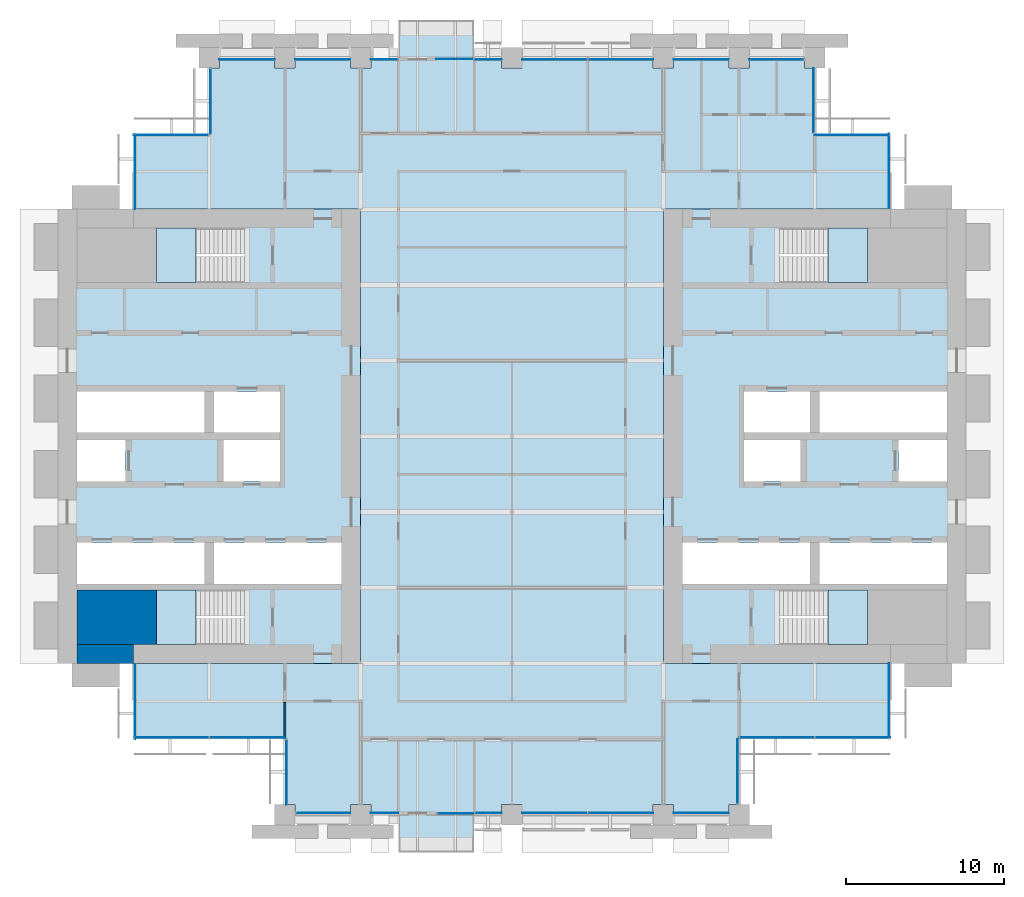
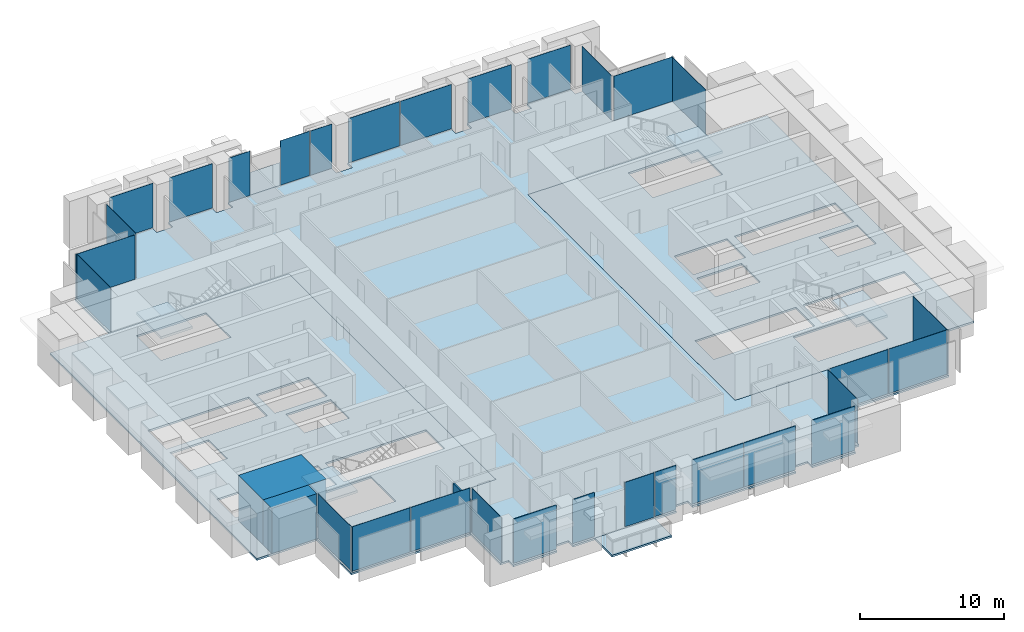
# One storey, part 8 of 15: 30 plates, 9 slabs, 3 walls, 22 elements without a shape of their own.
"""IFC4 building model written with IfcOpenShell, lengths in metres."""

from ifc_helpers import new_model, si_unit, direction, frame, frame_2d, origin, origin_2d, place, context, subcontext, project, spatial, polyline, rectangle, outline, extrude, material, layer, layer_set, type_object, element, aggregate, save


model = new_model("IFC4")

# Units and contexts
model_context = context("Model", 3, precision=1e-05, world=origin(), true_north=direction((0.0, 1.0)))
body_context = subcontext(model_context, "Body", "Model", "MODEL_VIEW")
ifc_project = project(units=[si_unit("LENGTHUNIT", "METRE"), si_unit("AREAUNIT", "SQUARE_METRE"), si_unit("VOLUMEUNIT", "CUBIC_METRE"), si_unit("PLANEANGLEUNIT", "RADIAN"), si_unit("MASSUNIT", "GRAM", prefix="KILO")], contexts=[model_context])

# Site, building, storey
site_placement = place(None, origin())
site = spatial("IfcSite", under=ifc_project, at=site_placement, CompositionType="ELEMENT")
building_placement = place(site_placement, origin())
building = spatial("IfcBuilding", under=site, at=building_placement, Name="Baori Bourse Tower", CompositionType="ELEMENT")
storey_placement = place(building_placement, frame((0.0, 0.0, 71.0)))
storey = spatial("IfcBuildingStorey", under=building, at=storey_placement, Name="L15", CompositionType="ELEMENT", Elevation=71.0)

# Slabs
ifc_material_1 = material(Name="Concrete f'c 40 MPa", Category="concrete")
ifc_layer_1 = layer(ifc_material_1, 0.159912109375)
ifc_layer_set_1 = layer_set([ifc_layer_1], Name="BL2 Balcony slab 160")
slab_type_1 = type_object("IfcSlabType", Name="BL2 Balcony slab 160", PredefinedType="FLOOR", material=ifc_layer_set_1)
slab_1_placement = place(storey_placement, frame((0.0, 0.0, -0.159912109375)))
element("IfcSlab", 1, at=slab_1_placement, inside=storey, type_object=slab_type_1, Name="Balcony slab L15 S", PredefinedType="FLOOR", context=body_context, shape_type="SweptSolid", body=[
    extrude(outline(polyline([(21.60009765625, 0.0), (21.60009765625, -2.39990234375), (26.39990234375, -2.39990234375), (26.39990234375, 0.0), (21.60009765625, 0.0)])), origin(), (0.0, 0.0, 1.0), 0.159912109375),
])
slab_2_placement = place(storey_placement, frame((0.0, 0.0, -0.159912109375)))
element("IfcSlab", 2, at=slab_2_placement, inside=storey, type_object=slab_type_1, Name="Balcony slab L15 N", PredefinedType="FLOOR", context=body_context, shape_type="SweptSolid", body=[
    extrude(outline(polyline([(21.60009765625, 48.0), (26.39990234375, 48.0), (26.39990234375, 50.39990234375), (21.60009765625, 50.39990234375), (21.60009765625, 48.0)])), origin(), (0.0, 0.0, 1.0), 0.159912109375),
])

# Curtain wall, plates
ifc_material_2 = material(Name="Pale anodised aluminium", Category="aluminium")
curtain_wall_type_1 = type_object("IfcCurtainWallType", Name="CW1 Curtain wall", PredefinedType="NOTDEFINED", material=ifc_material_2)
curtain_wall_1_placement = place(storey_placement, origin())
curtain_wall_1 = element("IfcCurtainWall", 3, at=curtain_wall_1_placement, inside=storey, type_object=curtain_wall_type_1, Name="Curtain wall CW1 L15 4", PredefinedType="NOTDEFINED")
ifc_material_3 = material(Name="Clear glass", Category="glass")
ifc_layer_2 = layer(ifc_material_3, 0.033935546875)
ifc_layer_set_2 = layer_set([ifc_layer_2], Name="CW1 Curtain wall panel")
plate_type_1 = type_object("IfcPlateType", Name="CW1 Curtain wall panel", PredefinedType="CURTAIN_PANEL", material=ifc_layer_set_2)
plate_1_placement = place(storey_placement, frame((45.570068359375, 47.89990234375, 0.080078125), z_axis=(0.0, 0.0, 1.0), x_axis=(-1.0, 0.0, 0.0)))
plate_1 = element("IfcPlate", 4, at=plate_1_placement, type_object=plate_type_1, Name="Curtain wall CW1 panel", PredefinedType="CURTAIN_PANEL", context=body_context, shape_type="SweptSolid", body=[
    extrude(rectangle(XDim=3.43994140625, YDim=0.033935546875, at=origin_2d()), origin(), (0.0, 0.0, 1.0), 3.760009765625),
])
plate_2_placement = place(storey_placement, frame((40.800048828125, 47.89990234375, 0.080078125), z_axis=(0.0, 0.0, 1.0), x_axis=(-1.0, 0.0, 0.0)))
plate_2 = element("IfcPlate", 5, at=plate_2_placement, type_object=plate_type_1, Name="Curtain wall CW1 panel", PredefinedType="CURTAIN_PANEL", context=body_context, shape_type="SweptSolid", body=[
    extrude(rectangle(XDim=3.5, YDim=0.033935546875, at=origin_2d()), origin(), (0.0, 0.0, 1.0), 3.760009765625),
])
plate_3_placement = place(storey_placement, frame((35.68994140625, 47.89990234375, 0.080078125), z_axis=(0.0, 0.0, 1.0), x_axis=(-1.0, 0.0, 0.0)))
plate_3 = element("IfcPlate", 6, at=plate_3_placement, type_object=plate_type_1, Name="Curtain wall CW1 panel", PredefinedType="CURTAIN_PANEL", context=body_context, shape_type="SweptSolid", body=[
    extrude(rectangle(XDim=4.1201171875, YDim=0.033935546875, at=origin_2d()), origin(), (0.0, 0.0, 1.0), 3.760009765625),
])
plate_4_placement = place(storey_placement, frame((31.510009765625, 47.89990234375, 0.080078125), z_axis=(0.0, 0.0, 1.0), x_axis=(-1.0, 0.0, 0.0)))
plate_4 = element("IfcPlate", 7, at=plate_4_placement, type_object=plate_type_1, Name="Curtain wall CW1 panel", PredefinedType="CURTAIN_PANEL", context=body_context, shape_type="SweptSolid", body=[
    extrude(rectangle(XDim=4.1201171875, YDim=0.033935546875, at=origin_2d()), origin(), (0.0, 0.0, 1.0), 3.760009765625),
])
plate_5_placement = place(storey_placement, frame((27.27490234375, 47.89990234375, 0.080078125), z_axis=(0.0, 0.0, 1.0), x_axis=(-1.0, 0.0, 0.0)))
plate_5 = element("IfcPlate", 8, at=plate_5_placement, type_object=plate_type_1, Name="Curtain wall CW1 panel", PredefinedType="CURTAIN_PANEL", context=body_context, shape_type="SweptSolid", body=[
    extrude(rectangle(XDim=1.75, YDim=0.033935546875, at=origin_2d()), origin(), (0.0, 0.0, 1.0), 3.760009765625),
])
aggregate(curtain_wall_1, [plate_1, plate_2, plate_3, plate_4, plate_5])

curtain_wall_2_placement = place(storey_placement, origin())
curtain_wall_2 = element("IfcCurtainWall", 9, at=curtain_wall_2_placement, inside=storey, type_object=curtain_wall_type_1, Name="Curtain wall CW1 L15 6", PredefinedType="NOTDEFINED")
plate_6_placement = place(storey_placement, frame((20.695068359375, 47.89990234375, 0.080078125), z_axis=(0.0, 0.0, 1.0), x_axis=(-1.0, 0.0, 0.0)))
plate_6 = element("IfcPlate", 10, at=plate_6_placement, type_object=plate_type_1, Name="Curtain wall CW1 panel", PredefinedType="CURTAIN_PANEL", context=body_context, shape_type="SweptSolid", body=[
    extrude(rectangle(XDim=1.68994140625, YDim=0.033935546875, at=origin_2d()), origin(), (0.0, 0.0, 1.0), 3.760009765625),
])
plate_7_placement = place(storey_placement, frame((16.800048828125, 47.89990234375, 0.080078125), z_axis=(0.0, 0.0, 1.0), x_axis=(-1.0, 0.0, 0.0)))
plate_7 = element("IfcPlate", 11, at=plate_7_placement, type_object=plate_type_1, Name="Curtain wall CW1 panel", PredefinedType="CURTAIN_PANEL", context=body_context, shape_type="SweptSolid", body=[
    extrude(rectangle(XDim=3.5, YDim=0.033935546875, at=origin_2d()), origin(), (0.0, 0.0, 1.0), 3.760009765625),
])
plate_8_placement = place(storey_placement, frame((12.0, 47.89990234375, 0.080078125), z_axis=(0.0, 0.0, 1.0), x_axis=(-1.0, 0.0, 0.0)))
plate_8 = element("IfcPlate", 12, at=plate_8_placement, type_object=plate_type_1, Name="Curtain wall CW1 panel", PredefinedType="CURTAIN_PANEL", context=body_context, shape_type="SweptSolid", body=[
    extrude(rectangle(XDim=3.5, YDim=0.033935546875, at=origin_2d()), origin(), (0.0, 0.0, 1.0), 3.760009765625),
])
aggregate(curtain_wall_2, [plate_6, plate_7, plate_8])

curtain_wall_3_placement = place(storey_placement, origin())
curtain_wall_3 = element("IfcCurtainWall", 13, at=curtain_wall_3_placement, inside=storey, type_object=curtain_wall_type_1, Name="Curtain wall CW1 L15 13", PredefinedType="NOTDEFINED")
plate_9_placement = place(storey_placement, frame((16.830078125, 0.10009765625, 0.080078125), z_axis=(0.0, 0.0, 1.0), x_axis=(1.0, 0.0, 0.0)))
plate_9 = element("IfcPlate", 14, at=plate_9_placement, type_object=plate_type_1, Name="Curtain wall CW1 panel", PredefinedType="CURTAIN_PANEL", context=body_context, shape_type="SweptSolid", body=[
    extrude(rectangle(XDim=3.43994140625, YDim=0.033935546875, at=origin_2d()), origin(), (0.0, 0.0, 1.0), 3.760009765625),
])
plate_10_placement = place(storey_placement, frame((20.72509765625, 0.10009765625, 0.080078125), z_axis=(0.0, 0.0, 1.0), x_axis=(1.0, 0.0, 0.0)))
plate_10 = element("IfcPlate", 15, at=plate_10_placement, type_object=plate_type_1, Name="Curtain wall CW1 panel", PredefinedType="CURTAIN_PANEL", context=body_context, shape_type="SweptSolid", body=[
    extrude(rectangle(XDim=1.75, YDim=0.033935546875, at=origin_2d()), origin(), (0.0, 0.0, 1.0), 3.760009765625),
])
aggregate(curtain_wall_3, [plate_9, plate_10])

curtain_wall_4_placement = place(storey_placement, origin())
curtain_wall_4 = element("IfcCurtainWall", 16, at=curtain_wall_4_placement, inside=storey, type_object=curtain_wall_type_1, Name="Curtain wall CW1 L15 15", PredefinedType="NOTDEFINED")
plate_11_placement = place(storey_placement, frame((27.304931640625, 0.10009765625, 0.080078125), z_axis=(0.0, 0.0, 1.0), x_axis=(1.0, 0.0, 0.0)))
plate_11 = element("IfcPlate", 17, at=plate_11_placement, type_object=plate_type_1, Name="Curtain wall CW1 panel", PredefinedType="CURTAIN_PANEL", context=body_context, shape_type="SweptSolid", body=[
    extrude(rectangle(XDim=1.68994140625, YDim=0.033935546875, at=origin_2d()), origin(), (0.0, 0.0, 1.0), 3.760009765625),
])
plate_12_placement = place(storey_placement, frame((31.510009765625, 0.10009765625, 0.080078125), z_axis=(0.0, 0.0, 1.0), x_axis=(1.0, 0.0, 0.0)))
plate_12 = element("IfcPlate", 18, at=plate_12_placement, type_object=plate_type_1, Name="Curtain wall CW1 panel", PredefinedType="CURTAIN_PANEL", context=body_context, shape_type="SweptSolid", body=[
    extrude(rectangle(XDim=4.1201171875, YDim=0.033935546875, at=origin_2d()), origin(), (0.0, 0.0, 1.0), 3.760009765625),
])
plate_13_placement = place(storey_placement, frame((35.68994140625, 0.10009765625, 0.080078125), z_axis=(0.0, 0.0, 1.0), x_axis=(1.0, 0.0, 0.0)))
plate_13 = element("IfcPlate", 19, at=plate_13_placement, type_object=plate_type_1, Name="Curtain wall CW1 panel", PredefinedType="CURTAIN_PANEL", context=body_context, shape_type="SweptSolid", body=[
    extrude(rectangle(XDim=4.1201171875, YDim=0.033935546875, at=origin_2d()), origin(), (0.0, 0.0, 1.0), 3.760009765625),
])
plate_14_placement = place(storey_placement, frame((40.800048828125, 0.10009765625, 0.080078125), z_axis=(0.0, 0.0, 1.0), x_axis=(1.0, 0.0, 0.0)))
plate_14 = element("IfcPlate", 20, at=plate_14_placement, type_object=plate_type_1, Name="Curtain wall CW1 panel", PredefinedType="CURTAIN_PANEL", context=body_context, shape_type="SweptSolid", body=[
    extrude(rectangle(XDim=3.5, YDim=0.033935546875, at=origin_2d()), origin(), (0.0, 0.0, 1.0), 3.760009765625),
])
aggregate(curtain_wall_4, [plate_11, plate_12, plate_13, plate_14])

# Curtain wall, plate
ifc_material_4 = material(Name="Pale anodised aluminium", Category="aluminium")
curtain_wall_type_2 = type_object("IfcCurtainWallType", Name="CW2 Curtain wall", PredefinedType="NOTDEFINED", material=ifc_material_4)
curtain_wall_5_placement = place(storey_placement, origin())
curtain_wall_5 = element("IfcCurtainWall", 21, at=curtain_wall_5_placement, inside=storey, type_object=curtain_wall_type_2, Name="Curtain wall CW2 L15 1", PredefinedType="NOTDEFINED")
ifc_material_5 = material(Name="Clear glass", Category="glass")
ifc_layer_3 = layer(ifc_material_5, 0.030029296875)
ifc_layer_set_3 = layer_set([ifc_layer_3], Name="CW2 Curtain wall panel")
plate_type_2 = type_object("IfcPlateType", Name="CW2 Curtain wall panel", PredefinedType="CURTAIN_PANEL", material=ifc_layer_set_3)
plate_15_placement = place(storey_placement, frame((52.7099609375, 40.827392578125, 0.070068359375), z_axis=(0.0, 0.0, 1.0), x_axis=(0.0, 1.0, 0.0)))
plate_15 = element("IfcPlate", 22, at=plate_15_placement, type_object=plate_type_2, Name="Curtain wall CW2 panel", PredefinedType="CURTAIN_PANEL", context=body_context, shape_type="SweptSolid", body=[
    extrude(rectangle(XDim=4.7451171875, YDim=0.030029296875, at=origin_2d()), origin(), (0.0, 0.0, 1.0), 3.77001953125),
])
aggregate(curtain_wall_5, [plate_15])

curtain_wall_6_placement = place(storey_placement, origin())
curtain_wall_6 = element("IfcCurtainWall", 23, at=curtain_wall_6_placement, inside=storey, type_object=curtain_wall_type_2, Name="Curtain wall CW2 L15 2", PredefinedType="NOTDEFINED")
plate_16_placement = place(storey_placement, frame((50.37255859375, 43.110107421875, 0.070068359375), z_axis=(0.0, 0.0, 1.0), x_axis=(-1.0, 0.0, 0.0)))
plate_16 = element("IfcPlate", 24, at=plate_16_placement, type_object=plate_type_2, Name="Curtain wall CW2 panel", PredefinedType="CURTAIN_PANEL", context=body_context, shape_type="SweptSolid", body=[
    extrude(rectangle(XDim=4.7451171875, YDim=0.030029296875, at=origin_2d()), origin(), (0.0, 0.0, 1.0), 3.77001953125),
])
aggregate(curtain_wall_6, [plate_16])

curtain_wall_7_placement = place(storey_placement, origin())
curtain_wall_7 = element("IfcCurtainWall", 25, at=curtain_wall_7_placement, inside=storey, type_object=curtain_wall_type_2, Name="Curtain wall CW2 L15 3", PredefinedType="NOTDEFINED")
plate_17_placement = place(storey_placement, frame((47.909912109375, 45.302490234375, 0.070068359375), z_axis=(0.0, 0.0, 1.0), x_axis=(0.0, 1.0, 0.0)))
plate_17 = element("IfcPlate", 26, at=plate_17_placement, type_object=plate_type_2, Name="Curtain wall CW2 panel", PredefinedType="CURTAIN_PANEL", context=body_context, shape_type="SweptSolid", body=[
    extrude(rectangle(XDim=4.094970703125, YDim=0.030029296875, at=origin_2d()), origin(), (0.0, 0.0, 1.0), 3.77001953125),
])
aggregate(curtain_wall_7, [plate_17])

curtain_wall_8_placement = place(storey_placement, origin())
curtain_wall_8 = element("IfcCurtainWall", 27, at=curtain_wall_8_placement, inside=storey, type_object=curtain_wall_type_2, Name="Curtain wall CW2 L15 7", PredefinedType="NOTDEFINED")
plate_18_placement = place(storey_placement, frame((9.68994140625, 45.24755859375, 0.070068359375), z_axis=(0.0, 0.0, 1.0), x_axis=(0.0, -1.0, 0.0)))
plate_18 = element("IfcPlate", 28, at=plate_18_placement, type_object=plate_type_2, Name="Curtain wall CW2 panel", PredefinedType="CURTAIN_PANEL", context=body_context, shape_type="SweptSolid", body=[
    extrude(rectangle(XDim=4.094970703125, YDim=0.030029296875, at=origin_2d()), origin(), (0.0, 0.0, 1.0), 3.77001953125),
])
aggregate(curtain_wall_8, [plate_18])

curtain_wall_9_placement = place(storey_placement, origin())
curtain_wall_9 = element("IfcCurtainWall", 29, at=curtain_wall_9_placement, inside=storey, type_object=curtain_wall_type_2, Name="Curtain wall CW2 L15 8", PredefinedType="NOTDEFINED")
plate_19_placement = place(storey_placement, frame((7.172607421875, 43.110107421875, 0.070068359375), z_axis=(0.0, 0.0, 1.0), x_axis=(-1.0, 0.0, 0.0)))
plate_19 = element("IfcPlate", 30, at=plate_19_placement, type_object=plate_type_2, Name="Curtain wall CW2 panel", PredefinedType="CURTAIN_PANEL", context=body_context, shape_type="SweptSolid", body=[
    extrude(rectangle(XDim=4.7451171875, YDim=0.030029296875, at=origin_2d()), origin(), (0.0, 0.0, 1.0), 3.77001953125),
])
aggregate(curtain_wall_9, [plate_19])

curtain_wall_10_placement = place(storey_placement, origin())
curtain_wall_10 = element("IfcCurtainWall", 31, at=curtain_wall_10_placement, inside=storey, type_object=curtain_wall_type_2, Name="Curtain wall CW2 L15 9", PredefinedType="NOTDEFINED")
plate_20_placement = place(storey_placement, frame((4.889892578125, 40.7724609375, 0.070068359375), z_axis=(0.0, 0.0, 1.0), x_axis=(0.0, -1.0, 0.0)))
plate_20 = element("IfcPlate", 32, at=plate_20_placement, type_object=plate_type_2, Name="Curtain wall CW2 panel", PredefinedType="CURTAIN_PANEL", context=body_context, shape_type="SweptSolid", body=[
    extrude(rectangle(XDim=4.7451171875, YDim=0.030029296875, at=origin_2d()), origin(), (0.0, 0.0, 1.0), 3.77001953125),
])
aggregate(curtain_wall_10, [plate_20])

curtain_wall_11_placement = place(storey_placement, origin())
curtain_wall_11 = element("IfcCurtainWall", 33, at=curtain_wall_11_placement, inside=storey, type_object=curtain_wall_type_2, Name="Curtain wall CW2 L15 10", PredefinedType="NOTDEFINED")
plate_21_placement = place(storey_placement, frame((4.889892578125, 7.172607421875, 0.070068359375), z_axis=(0.0, 0.0, 1.0), x_axis=(0.0, -1.0, 0.0)))
plate_21 = element("IfcPlate", 34, at=plate_21_placement, type_object=plate_type_2, Name="Curtain wall CW2 panel", PredefinedType="CURTAIN_PANEL", context=body_context, shape_type="SweptSolid", body=[
    extrude(rectangle(XDim=4.7451171875, YDim=0.030029296875, at=origin_2d()), origin(), (0.0, 0.0, 1.0), 3.77001953125),
])
aggregate(curtain_wall_11, [plate_21])

# Curtain wall, plates
curtain_wall_12_placement = place(storey_placement, origin())
curtain_wall_12 = element("IfcCurtainWall", 35, at=curtain_wall_12_placement, inside=storey, type_object=curtain_wall_type_2, Name="Curtain wall CW2 L15 11", PredefinedType="NOTDEFINED")
plate_22_placement = place(storey_placement, frame((7.2138671875, 4.889892578125, 0.070068359375), z_axis=(0.0, 0.0, 1.0), x_axis=(1.0, 0.0, 0.0)))
plate_22 = element("IfcPlate", 36, at=plate_22_placement, type_object=plate_type_2, Name="Curtain wall CW2 panel", PredefinedType="CURTAIN_PANEL", context=body_context, shape_type="SweptSolid", body=[
    extrude(rectangle(XDim=4.717529296875, YDim=0.030029296875, at=origin_2d()), origin(), (0.0, 0.0, 1.0), 3.77001953125),
])
plate_23_placement = place(storey_placement, frame((12.013671875, 4.889892578125, 0.070068359375), z_axis=(0.0, 0.0, 1.0), x_axis=(1.0, 0.0, 0.0)))
plate_23 = element("IfcPlate", 37, at=plate_23_placement, type_object=plate_type_2, Name="Curtain wall CW2 panel", PredefinedType="CURTAIN_PANEL", context=body_context, shape_type="SweptSolid", body=[
    extrude(rectangle(XDim=4.7724609375, YDim=0.030029296875, at=origin_2d()), origin(), (0.0, 0.0, 1.0), 3.77001953125),
])
aggregate(curtain_wall_12, [plate_22, plate_23])

# Curtain wall, plate
curtain_wall_13_placement = place(storey_placement, origin())
curtain_wall_13 = element("IfcCurtainWall", 38, at=curtain_wall_13_placement, inside=storey, type_object=curtain_wall_type_2, Name="Curtain wall CW2 L15 12", PredefinedType="NOTDEFINED")
plate_24_placement = place(storey_placement, frame((14.489990234375, 2.697509765625, 0.070068359375), z_axis=(0.0, 0.0, 1.0), x_axis=(0.0, -1.0, 0.0)))
plate_24 = element("IfcPlate", 39, at=plate_24_placement, type_object=plate_type_2, Name="Curtain wall CW2 panel", PredefinedType="CURTAIN_PANEL", context=body_context, shape_type="SweptSolid", body=[
    extrude(rectangle(XDim=4.094970703125, YDim=0.030029296875, at=origin_2d()), origin(), (0.0, 0.0, 1.0), 3.77001953125),
])
aggregate(curtain_wall_13, [plate_24])

curtain_wall_14_placement = place(storey_placement, origin())
curtain_wall_14 = element("IfcCurtainWall", 40, at=curtain_wall_14_placement, inside=storey, type_object=curtain_wall_type_2, Name="Curtain wall CW2 L15 16", PredefinedType="NOTDEFINED")
plate_25_placement = place(storey_placement, frame((43.110107421875, 2.75244140625, 0.070068359375), z_axis=(0.0, 0.0, 1.0), x_axis=(0.0, 1.0, 0.0)))
plate_25 = element("IfcPlate", 41, at=plate_25_placement, type_object=plate_type_2, Name="Curtain wall CW2 panel", PredefinedType="CURTAIN_PANEL", context=body_context, shape_type="SweptSolid", body=[
    extrude(rectangle(XDim=4.094970703125, YDim=0.030029296875, at=origin_2d()), origin(), (0.0, 0.0, 1.0), 3.77001953125),
])
aggregate(curtain_wall_14, [plate_25])

# Curtain wall, plates
curtain_wall_15_placement = place(storey_placement, origin())
curtain_wall_15 = element("IfcCurtainWall", 42, at=curtain_wall_15_placement, inside=storey, type_object=curtain_wall_type_2, Name="Curtain wall CW2 L15 17", PredefinedType="NOTDEFINED")
plate_26_placement = place(storey_placement, frame((45.61376953125, 4.889892578125, 0.070068359375), z_axis=(0.0, 0.0, 1.0), x_axis=(1.0, 0.0, 0.0)))
plate_26 = element("IfcPlate", 43, at=plate_26_placement, type_object=plate_type_2, Name="Curtain wall CW2 panel", PredefinedType="CURTAIN_PANEL", context=body_context, shape_type="SweptSolid", body=[
    extrude(rectangle(XDim=4.717529296875, YDim=0.030029296875, at=origin_2d()), origin(), (0.0, 0.0, 1.0), 3.77001953125),
])
plate_27_placement = place(storey_placement, frame((50.413818359375, 4.889892578125, 0.070068359375), z_axis=(0.0, 0.0, 1.0), x_axis=(1.0, 0.0, 0.0)))
plate_27 = element("IfcPlate", 44, at=plate_27_placement, type_object=plate_type_2, Name="Curtain wall CW2 panel", PredefinedType="CURTAIN_PANEL", context=body_context, shape_type="SweptSolid", body=[
    extrude(rectangle(XDim=4.7724609375, YDim=0.030029296875, at=origin_2d()), origin(), (0.0, 0.0, 1.0), 3.77001953125),
])
aggregate(curtain_wall_15, [plate_26, plate_27])

# Curtain wall, plate
curtain_wall_16_placement = place(storey_placement, origin())
curtain_wall_16 = element("IfcCurtainWall", 45, at=curtain_wall_16_placement, inside=storey, type_object=curtain_wall_type_2, Name="Curtain wall CW2 L15 18", PredefinedType="NOTDEFINED")
plate_28_placement = place(storey_placement, frame((52.7099609375, 7.2275390625, 0.070068359375), z_axis=(0.0, 0.0, 1.0), x_axis=(0.0, 1.0, 0.0)))
plate_28 = element("IfcPlate", 46, at=plate_28_placement, type_object=plate_type_2, Name="Curtain wall CW2 panel", PredefinedType="CURTAIN_PANEL", context=body_context, shape_type="SweptSolid", body=[
    extrude(rectangle(XDim=4.7451171875, YDim=0.030029296875, at=origin_2d()), origin(), (0.0, 0.0, 1.0), 3.77001953125),
])
aggregate(curtain_wall_16, [plate_28])

ifc_material_6 = material(Name="Pale anodised aluminium", Category="aluminium")
curtain_wall_type_3 = type_object("IfcCurtainWallType", Name="CW6 Curtain wall", PredefinedType="NOTDEFINED", material=ifc_material_6)
curtain_wall_17_placement = place(storey_placement, origin())
curtain_wall_17 = element("IfcCurtainWall", 47, at=curtain_wall_17_placement, inside=storey, type_object=curtain_wall_type_3, Name="Curtain wall CW6 L15 5", PredefinedType="NOTDEFINED")
ifc_material_7 = material(Name="Clear glass", Category="glass")
ifc_layer_4 = layer(ifc_material_7, 0.028076171875)
ifc_layer_set_4 = layer_set([ifc_layer_4], Name="CW6 Curtain wall panel")
plate_type_3 = type_object("IfcPlateType", Name="CW6 Curtain wall panel", PredefinedType="CURTAIN_PANEL", material=ifc_layer_set_4)
plate_29_placement = place(storey_placement, frame((25.175048828125, 47.925048828125, 0.06494140625), z_axis=(0.0, 0.0, 1.0), x_axis=(-1.0, 0.0, 0.0)))
plate_29 = element("IfcPlate", 48, at=plate_29_placement, type_object=plate_type_3, Name="Curtain wall CW6 panel", PredefinedType="CURTAIN_PANEL", context=body_context, shape_type="SweptSolid", body=[
    extrude(rectangle(XDim=2.35009765625, YDim=0.028076171875, at=origin_2d()), origin(), (0.0, 0.0, 1.0), 3.77490234375),
])
aggregate(curtain_wall_17, [plate_29])

curtain_wall_18_placement = place(storey_placement, origin())
curtain_wall_18 = element("IfcCurtainWall", 49, at=curtain_wall_18_placement, inside=storey, type_object=curtain_wall_type_3, Name="Curtain wall CW6 L15 14", PredefinedType="NOTDEFINED")
plate_30_placement = place(storey_placement, frame((25.22509765625, 0.074951171875, 0.06494140625), z_axis=(0.0, 0.0, 1.0), x_axis=(1.0, 0.0, 0.0)))
plate_30 = element("IfcPlate", 50, at=plate_30_placement, type_object=plate_type_3, Name="Curtain wall CW6 panel", PredefinedType="CURTAIN_PANEL", context=body_context, shape_type="SweptSolid", body=[
    extrude(rectangle(XDim=2.35009765625, YDim=0.028076171875, at=origin_2d()), origin(), (0.0, 0.0, 1.0), 3.77490234375),
])
aggregate(curtain_wall_18, [plate_30])

# Slabs
ifc_material_8 = material(Name="Concrete f'c 50 MPa", Category="concrete")
ifc_layer_5 = layer(ifc_material_8, 0.159912109375)
ifc_layer_set_5 = layer_set([ifc_layer_5], Name="Core slab 160")
slab_type_2 = type_object("IfcSlabType", Name="Core slab 160", PredefinedType="FLOOR", material=ifc_layer_set_5)
slab_3_placement = place(storey_placement, frame((0.0, 0.0, -0.159912109375)))
element("IfcSlab", 51, at=slab_3_placement, inside=storey, type_object=slab_type_2, Name="Core floor slab W01", PredefinedType="FLOOR", context=body_context, shape_type="SweptSolid", body=[
    extrude(outline(polyline([(19.199951171875, 9.60009765625), (19.199951171875, 38.39990234375), (0.0, 38.39990234375), (0.0, 9.60009765625), (19.199951171875, 9.60009765625)]), holes=[polyline([(9.89990234375, 14.64990234375), (9.89990234375, 17.25), (18.0, 17.25), (18.0, 14.64990234375), (9.89990234375, 14.64990234375)]), polyline([(10.5, 21.14990234375), (10.5, 23.75), (14.10009765625, 23.75), (14.10009765625, 21.14990234375), (10.5, 21.14990234375)]), polyline([(14.10009765625, 24.25), (9.89990234375, 24.25), (9.89990234375, 26.85009765625), (14.10009765625, 26.85009765625), (14.10009765625, 24.25)]), polyline([(6.25, 14.25), (11.84912109375, 14.25), (11.84912109375, 10.800048828125), (6.25, 10.800048828125), (6.25, 14.25)]), polyline([(11.84912109375, 37.199951171875), (11.84912109375, 33.75), (6.25, 33.75), (6.25, 37.199951171875), (11.84912109375, 37.199951171875)]), polyline([(1.199951171875, 26.85009765625), (9.300048828125, 26.85009765625), (9.300048828125, 24.25), (1.199951171875, 24.25), (1.199951171875, 26.85009765625)]), polyline([(9.300048828125, 14.64990234375), (1.199951171875, 14.64990234375), (1.199951171875, 17.25), (9.300048828125, 17.25), (9.300048828125, 14.64990234375)]), polyline([(4.300048828125, 23.75), (4.300048828125, 21.14990234375), (1.199951171875, 21.14990234375), (1.199951171875, 23.75), (4.300048828125, 23.75)])]), origin(), (0.0, 0.0, 1.0), 0.159912109375),
])
slab_4_placement = place(storey_placement, frame((0.0, 0.0, -0.159912109375)))
element("IfcSlab", 52, at=slab_4_placement, inside=storey, type_object=slab_type_2, Name="Core floor slab E01", PredefinedType="FLOOR", context=body_context, shape_type="SweptSolid", body=[
    extrude(outline(polyline([(38.39990234375, 9.60009765625), (57.60009765625, 9.60009765625), (57.60009765625, 38.39990234375), (38.39990234375, 38.39990234375), (38.39990234375, 9.60009765625)]), holes=[polyline([(48.300048828125, 14.64990234375), (48.300048828125, 17.25), (56.39990234375, 17.25), (56.39990234375, 14.64990234375), (48.300048828125, 14.64990234375)]), polyline([(56.39990234375, 21.14990234375), (53.300048828125, 21.14990234375), (53.300048828125, 23.75), (56.39990234375, 23.75), (56.39990234375, 21.14990234375)]), polyline([(56.39990234375, 26.85009765625), (56.39990234375, 24.25), (48.300048828125, 24.25), (48.300048828125, 26.85009765625), (56.39990234375, 26.85009765625)]), polyline([(45.750732421875, 14.25), (51.35009765625, 14.25), (51.35009765625, 10.800048828125), (45.750732421875, 10.800048828125), (45.750732421875, 14.25)]), polyline([(51.35009765625, 37.199951171875), (51.35009765625, 33.75), (45.750732421875, 33.75), (45.750732421875, 37.199951171875), (51.35009765625, 37.199951171875)]), polyline([(39.60009765625, 17.25), (47.699951171875, 17.25), (47.699951171875, 14.64990234375), (39.60009765625, 14.64990234375), (39.60009765625, 17.25)]), polyline([(43.5, 24.25), (43.5, 26.85009765625), (47.699951171875, 26.85009765625), (47.699951171875, 24.25), (43.5, 24.25)]), polyline([(43.5, 23.75), (47.10009765625, 23.75), (47.10009765625, 21.14990234375), (43.5, 21.14990234375), (43.5, 23.75)])]), origin(), (0.0, 0.0, 1.0), 0.159912109375),
])

# Stair, slab
ifc_material_9 = material(Name="Concrete f'c 50 MPa", Category="concrete")
stair_type = type_object("IfcStairType", Name="Core stair", PredefinedType="HALF_TURN_STAIR", material=ifc_material_9)
stair_1_placement = place(storey_placement, origin())
stair_1 = element("IfcStair", 53, at=stair_1_placement, inside=storey, type_object=stair_type, Name="L15 Stair WA", PredefinedType="HALF_TURN_STAIR")
ifc_material_10 = material(Name="Concrete f'c 50 MPa", Category="concrete")
slab_type_3 = type_object("IfcSlabType", Name="Core stair landing", PredefinedType="LANDING", material=ifc_material_10)
slab_5_placement = place(storey_placement, frame((0.0, 0.0, 1.800048828125)))
slab_5 = element("IfcSlab", 54, at=slab_5_placement, type_object=slab_type_3, Name="ST1 landing 1", PredefinedType="LANDING", context=body_context, shape_type="SweptSolid", body=[
    extrude(outline(polyline([(8.77001953125, 14.25), (6.25, 14.25), (6.25, 10.800048828125), (8.77001953125, 10.800048828125), (8.77001953125, 14.25)])), origin(), (0.0, 0.0, 1.0), 0.199951171875),
])
aggregate(stair_1, [slab_5])

stair_2_placement = place(storey_placement, origin())
stair_2 = element("IfcStair", 55, at=stair_2_placement, inside=storey, type_object=stair_type, Name="L15 Stair WB", PredefinedType="HALF_TURN_STAIR")
slab_6_placement = place(storey_placement, frame((0.0, 0.0, 1.800048828125)))
slab_6 = element("IfcSlab", 56, at=slab_6_placement, type_object=slab_type_3, Name="ST2 landing 1", PredefinedType="LANDING", context=body_context, shape_type="SweptSolid", body=[
    extrude(outline(polyline([(8.77001953125, 37.199951171875), (6.25, 37.199951171875), (6.25, 33.75), (8.77001953125, 33.75), (8.77001953125, 37.199951171875)])), origin(), (0.0, 0.0, 1.0), 0.199951171875),
])
aggregate(stair_2, [slab_6])

stair_3_placement = place(storey_placement, origin())
stair_3 = element("IfcStair", 57, at=stair_3_placement, inside=storey, type_object=stair_type, Name="L15 Stair EA", PredefinedType="HALF_TURN_STAIR")
slab_7_placement = place(storey_placement, frame((0.0, 0.0, 1.800048828125)))
slab_7 = element("IfcSlab", 58, at=slab_7_placement, type_object=slab_type_3, Name="ST3 landing 1", PredefinedType="LANDING", context=body_context, shape_type="SweptSolid", body=[
    extrude(outline(polyline([(48.830078125, 10.800048828125), (51.35009765625, 10.800048828125), (51.35009765625, 14.25), (48.830078125, 14.25), (48.830078125, 10.800048828125)])), origin(), (0.0, 0.0, 1.0), 0.199951171875),
])
aggregate(stair_3, [slab_7])

stair_4_placement = place(storey_placement, origin())
stair_4 = element("IfcStair", 59, at=stair_4_placement, inside=storey, type_object=stair_type, Name="L15 Stair EB", PredefinedType="HALF_TURN_STAIR")
slab_8_placement = place(storey_placement, frame((0.0, 0.0, 1.800048828125)))
slab_8 = element("IfcSlab", 60, at=slab_8_placement, type_object=slab_type_3, Name="ST4 landing 1", PredefinedType="LANDING", context=body_context, shape_type="SweptSolid", body=[
    extrude(outline(polyline([(48.830078125, 33.75), (51.35009765625, 33.75), (51.35009765625, 37.199951171875), (48.830078125, 37.199951171875), (48.830078125, 33.75)])), origin(), (0.0, 0.0, 1.0), 0.199951171875),
])
aggregate(stair_4, [slab_8])

# Slab
ifc_material_11 = material(Name="Concrete f'c 40 MPa", Category="concrete")
ifc_layer_6 = layer(ifc_material_11, 0.159912109375)
ifc_layer_set_6 = layer_set([ifc_layer_6], Name="Floor slab 160")
slab_type_4 = type_object("IfcSlabType", Name="Floor slab 160", PredefinedType="FLOOR", material=ifc_layer_set_6)
slab_9_placement = place(storey_placement, frame((0.0, 0.0, -0.159912109375)))
element("IfcSlab", 61, at=slab_9_placement, inside=storey, type_object=slab_type_4, Name="Floor slab L15", PredefinedType="FLOOR", context=body_context, shape_type="SweptSolid", body=[
    extrude(outline(polyline([(14.39990234375, 4.800048828125), (4.800048828125, 4.800048828125), (4.800048828125, 9.60009765625), (19.199951171875, 9.60009765625), (19.199951171875, 38.39990234375), (4.800048828125, 38.39990234375), (4.800048828125, 43.199951171875), (9.60009765625, 43.199951171875), (9.60009765625, 47.35009765625), (10.25, 47.35009765625), (10.25, 48.0), (13.75, 48.0), (13.75, 47.35009765625), (15.050048828125, 47.35009765625), (15.050048828125, 48.0), (18.550048828125, 48.0), (18.550048828125, 47.35009765625), (19.85009765625, 47.35009765625), (19.85009765625, 48.0), (28.14990234375, 48.0), (28.14990234375, 47.35009765625), (29.449951171875, 47.35009765625), (29.449951171875, 48.0), (37.75, 48.0), (37.75, 47.35009765625), (39.050048828125, 47.35009765625), (39.050048828125, 48.0), (42.550048828125, 48.0), (42.550048828125, 47.35009765625), (43.85009765625, 47.35009765625), (43.85009765625, 48.0), (47.35009765625, 48.0), (47.35009765625, 47.35009765625), (48.0, 47.35009765625), (48.0, 43.199951171875), (52.800048828125, 43.199951171875), (52.800048828125, 38.39990234375), (38.39990234375, 38.39990234375), (38.39990234375, 9.60009765625), (52.800048828125, 9.60009765625), (52.800048828125, 4.800048828125), (43.199951171875, 4.800048828125), (43.199951171875, 0.64990234375), (42.550048828125, 0.64990234375), (42.550048828125, 0.0), (39.050048828125, 0.0), (39.050048828125, 0.64990234375), (37.75, 0.64990234375), (37.75, 0.0), (29.449951171875, 0.0), (29.449951171875, 0.64990234375), (28.14990234375, 0.64990234375), (28.14990234375, 0.0), (19.85009765625, 0.0), (19.85009765625, 0.64990234375), (18.550048828125, 0.64990234375), (18.550048828125, 0.0), (15.050048828125, 0.0), (15.050048828125, 0.64990234375), (14.39990234375, 0.64990234375), (14.39990234375, 4.800048828125)])), origin(), (0.0, 0.0, 1.0), 0.159912109375),
])

# Walls
ifc_material_12 = material(Name="Concrete f'c 70 MPa", Category="concrete")
wall_type_1 = type_object("IfcWallType", Name="Core corner block f'c 70", PredefinedType="SHEAR", material=ifc_material_12)
wall_1_placement = place(storey_placement, frame((1.199951171875, 12.52490234375, 0.0), z_axis=(0.0, 0.0, 1.0), x_axis=(1.0, 0.0, 0.0)))
element("IfcWall", 62, at=wall_1_placement, inside=storey, type_object=wall_type_1, Name="Core wall W05", PredefinedType="SHEAR", context=body_context, shape_type="SweptSolid", body=[
    extrude(rectangle(XDim=5.050048828125, YDim=3.449951171875, at=frame_2d((2.52490234375, 0.0))), origin(), (0.0, 0.0, 1.0), 3.840087890625),
])
ifc_material_13 = material(Name="Concrete f'c 70 MPa", Category="concrete")
ifc_layer_7 = layer(ifc_material_13, 1.199951171875)
ifc_layer_set_7 = layer_set([ifc_layer_7], Name="Core wall 1200 f'c 70")
wall_type_2 = type_object("IfcWallType", Name="Core wall 1200 f'c 70", PredefinedType="SHEAR", material=ifc_layer_set_7)
wall_2_placement = place(storey_placement, frame((4.800048828125, 10.199951171875, 0.0), z_axis=(0.0, 0.0, 1.0), x_axis=(-1.0, 0.0, 0.0)))
element("IfcWall", 63, at=wall_2_placement, inside=storey, type_object=wall_type_2, Name="Core wall W02", PredefinedType="SHEAR", context=body_context, shape_type="SweptSolid", body=[
    extrude(rectangle(XDim=3.60009765625, YDim=1.199951171875, at=frame_2d((1.800048828125, 0.0))), origin(), (0.0, 0.0, 1.0), 3.840087890625),
])
ifc_material_14 = material(Name="Gypsum board partition")
ifc_layer_8 = layer(ifc_material_14, 0.125)
ifc_layer_set_8 = layer_set([ifc_layer_8], Name="Partition 125")
wall_type_3 = type_object("IfcWallType", Name="Partition 125", PredefinedType="PARTITIONING", material=ifc_layer_set_8)
wall_3_placement = place(storey_placement, frame((14.39990234375, 4.89990234375, 0.0), z_axis=(0.0, 0.0, 1.0), x_axis=(0.0, 1.0, 0.0)))
element("IfcWall", 64, at=wall_3_placement, inside=storey, type_object=wall_type_3, Name="Partition", PredefinedType="PARTITIONING", context=body_context, shape_type="SweptSolid", body=[
    extrude(rectangle(XDim=2.22509765625, YDim=0.125, at=frame_2d((1.112548828125, 0.0))), origin(), (0.0, 0.0, 1.0), 2.86962890625),
])

save(model, "model.ifc")
